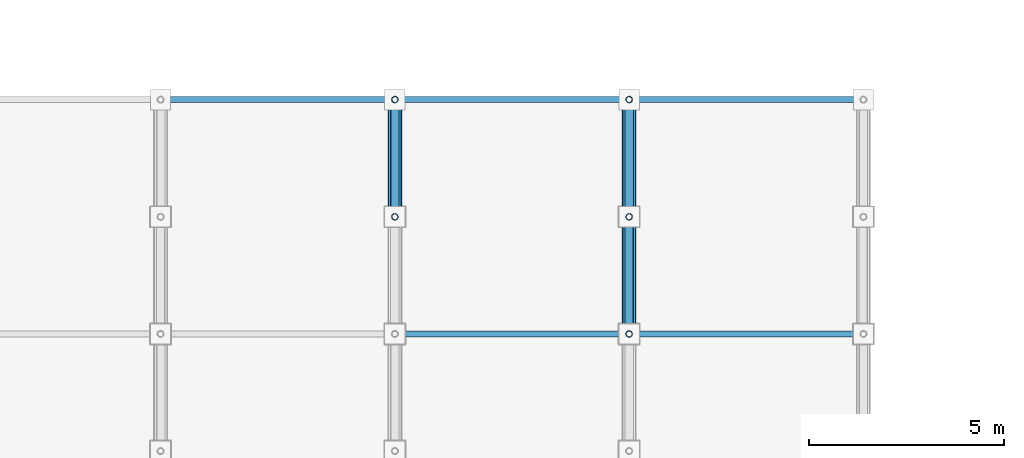
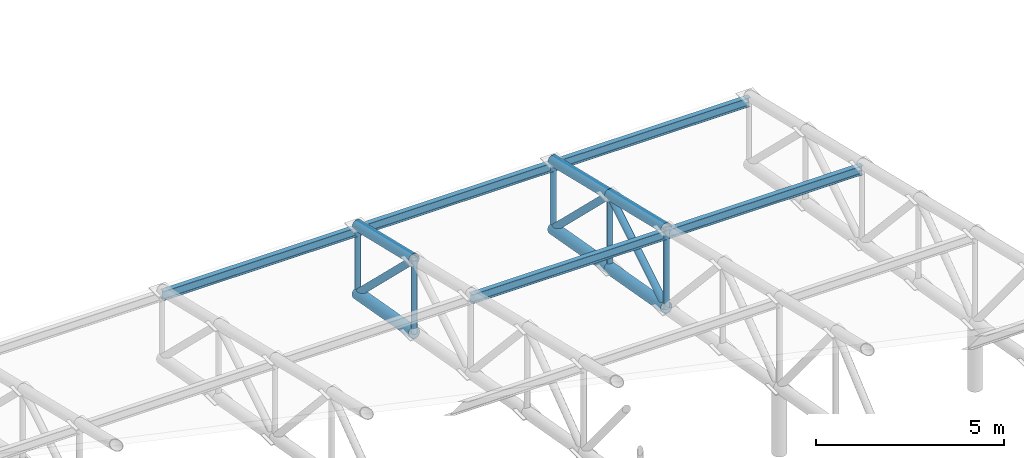
# One storey, part 30 of 123: 14 members, 5 beams.
"""IFC4 building model written with IfcOpenShell, lengths in metres."""

import ifcopenshell
import ifcopenshell.guid

model = None  # the IFC model being written
_history = None  # IfcOwnerHistory: only IFC2X3 demands one
_inside = {}  # id of a spatial element -> (the spatial element, [elements in it])
_under = {}  # id of a project, library or spatial element -> (it, [spatial elements below it])
_declared = {}  # id of a project -> (the project, [libraries it declares])
_typed = {}  # id of a type object -> (the type object, [elements of that type])
_made_of = {}  # id of a material, layer set ... -> (it, [elements and type objects made of it])


def new_model(schema):
    """Start an empty IFC model of exactly this schema.

    Asked for "IFC4X3", IfcOpenShell would pick the latest addendum, in which some entities
    have other attributes; the version numbers below select the first issue.
    IFC2X3 requires an IfcOwnerHistory on every rooted entity: one is made here for all.
    """
    global model, _history
    if schema == "IFC4X3":
        model = ifcopenshell.file(schema_version=(4, 3, 0, 0))
    else:
        model = ifcopenshell.file(schema=schema)
    _inside.clear()
    _under.clear()
    _declared.clear()
    _typed.clear()
    _made_of.clear()
    _history = None
    if model.schema == "IFC2X3":
        org = make("IfcOrganization", Name="unknown")
        user = make(
            "IfcPersonAndOrganization",
            ThePerson=make("IfcPerson", FamilyName="unknown"),
            TheOrganization=org,
        )
        app = make(
            "IfcApplication",
            ApplicationDeveloper=org,
            Version="unknown",
            ApplicationFullName="unknown",
            ApplicationIdentifier="unknown",
        )
        _history = make(
            "IfcOwnerHistory",
            OwningUser=user,
            OwningApplication=app,
            ChangeAction="ADDED",
            CreationDate=0,
        )
    return model


def make(cls, **values):
    """One entity of the class cls with the attributes given. An attribute that is None is left unset."""
    return model.create_entity(
        cls, **{name: value for name, value in values.items() if value is not None}
    )


def rooted(cls, **values):
    """An entity with a GlobalId (a new one), such as an element, a storey or a relation."""
    return make(cls, GlobalId=ifcopenshell.guid.new(), OwnerHistory=_history, **values)


def si_unit(unit_type, name, prefix=None):
    """IfcSIUnit, for example si_unit("LENGTHUNIT", "METRE", prefix="MILLI")."""
    return make("IfcSIUnit", UnitType=unit_type, Prefix=prefix, Name=name)


def assignment(units):
    """IfcUnitAssignment: the units of a project."""
    return None if units is None else make("IfcUnitAssignment", Units=units)


def point(xyz):
    """IfcCartesianPoint."""
    return None if xyz is None else make("IfcCartesianPoint", Coordinates=xyz)


def direction(xyz):
    """IfcDirection."""
    return None if xyz is None else make("IfcDirection", DirectionRatios=xyz)


def frame(location, z_axis=None, x_axis=None):
    """IfcAxis2Placement3D, a coordinate frame: its origin and axes. An axis left out is left unset."""
    return make(
        "IfcAxis2Placement3D",
        Location=point(location),
        Axis=direction(z_axis),
        RefDirection=direction(x_axis),
    )


def frame_2d(location, x_axis=None):
    """IfcAxis2Placement2D, a coordinate frame in the plane: its origin and x axis."""
    return make(
        "IfcAxis2Placement2D", Location=point(location), RefDirection=direction(x_axis)
    )


def origin():
    """The frame at (0, 0, 0) with its axes left unset."""
    return frame((0.0, 0.0, 0.0))


def origin_2d():
    """The frame at (0, 0) in the plane with its x axis left unset."""
    return frame_2d((0.0, 0.0))


def place(relative_to, where):
    """IfcLocalPlacement: puts the frame where relative to a parent placement (None: the world)."""
    return make(
        "IfcLocalPlacement", PlacementRelTo=relative_to, RelativePlacement=where
    )


def context(
    kind, dimensions, precision=None, world=None, true_north=None, identifier=None
):
    """IfcGeometricRepresentationContext, for example the 3D "Model" context."""
    return make(
        "IfcGeometricRepresentationContext",
        ContextIdentifier=identifier,
        ContextType=kind,
        CoordinateSpaceDimension=dimensions,
        Precision=precision,
        WorldCoordinateSystem=world,
        TrueNorth=true_north,
    )


def subcontext(parent, identifier, kind, view, scale=None):
    """IfcGeometricRepresentationSubContext, for example "Body" below "Model"."""
    return make(
        "IfcGeometricRepresentationSubContext",
        ContextIdentifier=identifier,
        ContextType=kind,
        ParentContext=parent,
        TargetScale=scale,
        TargetView=view,
    )


def project(units=None, contexts=None):
    """IfcProject with its units and contexts."""
    return rooted(
        "IfcProject",
        Name="project",
        RepresentationContexts=contexts,
        UnitsInContext=assignment(units),
    )


def spatial(cls, under=None, at=None, **own):
    """A site, building, storey or space (cls), placed at a placement, below another one or the project."""
    s = rooted(cls, ObjectPlacement=at, **own)
    if under is not None:
        _under.setdefault(under.id(), (under, []))[1].append(s)
    return s


def profile(cls, at=None, kind="AREA", **sizes):
    """A parametric profile (cls). Its sizes go by their IFC names, for example OverallWidth=200.0."""
    return make(cls, ProfileType=kind, Position=at, **sizes)


def hollow_circle(**sizes):
    """IfcCircleHollowProfileDef."""
    return profile("IfcCircleHollowProfileDef", **sizes)


def i_section(**sizes):
    """IfcIShapeProfileDef."""
    return profile("IfcIShapeProfileDef", **sizes)


def extrude(swept, where, along, depth):
    """IfcExtrudedAreaSolid: the profile swept, set in the frame where, extruded along a direction by depth."""
    return make(
        "IfcExtrudedAreaSolid",
        SweptArea=swept,
        Position=where,
        ExtrudedDirection=direction(along),
        Depth=depth,
    )


def shape(context_of_items, identifier, shape_type, items):
    """IfcShapeRepresentation: the items that make up one representation, for example the "Body"."""
    return make(
        "IfcShapeRepresentation",
        ContextOfItems=context_of_items,
        RepresentationIdentifier=identifier,
        RepresentationType=shape_type,
        Items=items,
    )


def material(Name=None, Category=None):
    """IfcMaterial."""
    return make("IfcMaterial", Name=Name, Category=Category)


def material_profile(
    of_material, cross_section, Name=None, Category=None, Priority=None
):
    """IfcMaterialProfile: a cross section and its material."""
    return make(
        "IfcMaterialProfile",
        Name=Name,
        Material=of_material,
        Profile=cross_section,
        Priority=Priority,
        Category=Category,
    )


def profile_set(profiles, Name=None, composite=None):
    """IfcMaterialProfileSet."""
    return make(
        "IfcMaterialProfileSet",
        Name=Name,
        MaterialProfiles=profiles,
        CompositeProfile=composite,
    )


def made_of(thing, what):
    """Note that an element or type object is made of a material, layer set ...; save() writes the relation."""
    if what is not None:
        _made_of.setdefault(what.id(), (what, []))[1].append(thing)
    return thing


def type_object(cls, material=None, **own):
    """A type object (cls), such as IfcWallType, which elements share."""
    return made_of(rooted(cls, **own), material)


def element(
    cls,
    number,
    at=None,
    inside=None,
    cuts=None,
    type_object=None,
    material=None,
    context=None,
    identifier="Body",
    shape_type=None,
    held_by="IfcProductDefinitionShape",
    body=None,
    shapes=None,
    **own,
):
    """One element of the class cls, such as IfcWall. Its Tag is "e" and its number.

    at: its placement. inside: the storey or other place that contains it. cuts: it is an
    opening in that element (IfcRelVoidsElement). A single representation is given by context,
    identifier, shape_type and body (its items); several are given by shapes. held_by: the class
    of the entity that holds the representations. save() writes the other relations.
    """
    e = rooted(cls, Tag="e%d" % number, ObjectPlacement=at, **own)
    if body is not None:
        shapes = [shape(context, identifier, shape_type, body)]
    if shapes is not None:
        e.Representation = make(held_by, Representations=shapes)
    if inside is not None:
        _inside.setdefault(inside.id(), (inside, []))[1].append(e)
    if cuts is not None:
        rooted(
            "IfcRelVoidsElement", RelatingBuildingElement=cuts, RelatedOpeningElement=e
        )
    if type_object is not None:
        _typed.setdefault(type_object.id(), (type_object, []))[1].append(e)
    return made_of(e, material)


def aggregate(whole, parts):
    """IfcRelAggregates: a whole, such as a stair, and the parts it consists of."""
    return rooted("IfcRelAggregates", RelatingObject=whole, RelatedObjects=parts)


def save(model, path):
    """Write the relations noted so far, then the file.

    IfcRelAggregates (storeys below a building ...), IfcRelContainedInSpatialStructure (elements
    in a storey), IfcRelDefinesByType, IfcRelAssociatesMaterial and IfcRelDeclares: one each for
    every whole, place, type object, material and project.
    """
    for whole, parts in _under.values():
        aggregate(whole, parts)
    for where, things in _inside.values():
        rooted(
            "IfcRelContainedInSpatialStructure",
            RelatedElements=things,
            RelatingStructure=where,
        )
    for kind, things in _typed.values():
        rooted("IfcRelDefinesByType", RelatedObjects=things, RelatingType=kind)
    for what, things in _made_of.values():
        rooted("IfcRelAssociatesMaterial", RelatedObjects=things, RelatingMaterial=what)
    for by, libraries in _declared.values():
        rooted("IfcRelDeclares", RelatingContext=by, RelatedDefinitions=libraries)
    model.write(path)


model = new_model("IFC4")

# Units and contexts
model_context = context("Model", 3, precision=1e-05, world=origin(), true_north=direction((0.0, 1.0)))
body_context = subcontext(model_context, "Body", "Model", "MODEL_VIEW")
ifc_project = project(units=[si_unit("LENGTHUNIT", "METRE"), si_unit("AREAUNIT", "SQUARE_METRE"), si_unit("VOLUMEUNIT", "CUBIC_METRE"), si_unit("PLANEANGLEUNIT", "RADIAN"), si_unit("MASSUNIT", "GRAM", prefix="KILO"), si_unit("THERMODYNAMICTEMPERATUREUNIT", "KELVIN"), si_unit("POWERUNIT", "WATT")], contexts=[model_context])

# Site, building, storey
site_placement = place(None, origin())
site = spatial("IfcSite", under=ifc_project, at=site_placement, CompositionType="ELEMENT")
building_placement = place(site_placement, origin())
building = spatial("IfcBuilding", under=site, at=building_placement, Name="Phaisarnlok Congress Hotel", CompositionType="ELEMENT")
storey_placement = place(building_placement, frame((0.0, 0.0, 15.0)))
storey = spatial("IfcBuildingStorey", under=building, at=storey_placement, Name="L03", CompositionType="ELEMENT", Elevation=15.0)

# Beams
ifc_material = material(Name="Steel S355", Category="steel")
ifc_material_profile_1 = material_profile(ifc_material, i_section(OverallWidth=0.14990234375, OverallDepth=0.300048828125, WebThickness=0.007080078125, FlangeThickness=0.0107421875, FilletRadius=0.014892578125, at=origin_2d()), Name="IPE 300")
ifc_profile_set_1 = profile_set([ifc_material_profile_1], Name="Steel S355")
beam_type = type_object("IfcBeamType", Name="JS-STL-IPE300", PredefinedType="JOIST", material=ifc_profile_set_1)
for number, where, z_axis, x_axis, name in (
    (1, (78.0, 54.0, 2.0380859375), (1.0, 0.0, 0.0), (0.0, 1.0, 0.0), "South wing roof purlin"),
    (2, (84.0, 54.0, 2.0380859375), (1.0, 0.0, 0.0), (0.0, 1.0, 0.0), "South wing roof purlin"),
    (3, (84.0, 48.0, 3.47021484375), (1.0, 0.0, 0.0), (0.0, 1.0, 0.0), "South wing roof purlin"),
    (4, (90.0, 54.0, 2.0380859375), (1.0, 0.0, 0.0), (0.0, 1.0, 0.0), "South wing roof purlin"),
    (5, (90.0, 48.0, 3.47021484375), (1.0, 0.0, 0.0), (0.0, 1.0, 0.0), "South wing roof purlin"),
):
    element("IfcBeam", number, at=place(storey_placement, frame(where, z_axis=z_axis, x_axis=x_axis)), inside=storey, type_object=beam_type, Name=name, PredefinedType="JOIST", context=body_context, shape_type="SweptSolid", body=[
        extrude(i_section(OverallWidth=0.14990234375, OverallDepth=0.300048828125, WebThickness=0.007080078125, FlangeThickness=0.0107421875, FilletRadius=0.014892578125, at=origin_2d()), origin(), (0.0, 0.0, 1.0), 6.0),
    ])

# Members
ifc_material_profile_2 = material_profile(ifc_material, hollow_circle(Radius=0.084228515625, WallThickness=0.010009765625, at=origin_2d()), Name="CHS 168.3x10")
ifc_profile_set_2 = profile_set([ifc_material_profile_2], Name="Steel S355")
member_type_1 = type_object("IfcMemberType", Name="MEM-BRC-CHS168", PredefinedType="BRACE", material=ifc_profile_set_2)
member_1_placement = place(storey_placement, frame((84.0, 54.0, 0.0), z_axis=(0.0, 0.0, 1.0), x_axis=(1.0, 0.0, 0.0)))
element("IfcMember", 6, at=member_1_placement, inside=storey, type_object=member_type_1, Name="South wing roof truss vertical web", PredefinedType="BRACE", context=body_context, shape_type="SweptSolid", body=[
    extrude(hollow_circle(Radius=0.084228515625, WallThickness=0.010009765625, at=origin_2d()), origin(), (0.0, 0.0, 1.0), 2.199951171875),
])
member_2_placement = place(storey_placement, frame((84.0, 51.0, 0.533447265625), z_axis=(0.0, 0.0, 1.0), x_axis=(1.0, 0.0, 0.0)))
element("IfcMember", 7, at=member_2_placement, inside=storey, type_object=member_type_1, Name="South wing roof truss vertical web", PredefinedType="BRACE", context=body_context, shape_type="SweptSolid", body=[
    extrude(hollow_circle(Radius=0.084228515625, WallThickness=0.010009765625, at=origin_2d()), origin(), (0.0, 0.0, 1.0), 2.382568359375),
])
member_3_placement = place(storey_placement, frame((90.0, 54.0, 0.0), z_axis=(0.0, 0.0, 1.0), x_axis=(1.0, 0.0, 0.0)))
element("IfcMember", 8, at=member_3_placement, inside=storey, type_object=member_type_1, Name="South wing roof truss vertical web", PredefinedType="BRACE", context=body_context, shape_type="SweptSolid", body=[
    extrude(hollow_circle(Radius=0.084228515625, WallThickness=0.010009765625, at=origin_2d()), origin(), (0.0, 0.0, 1.0), 2.199951171875),
])
member_4_placement = place(storey_placement, frame((90.0, 51.0, 0.533447265625), z_axis=(0.0, 0.0, 1.0), x_axis=(1.0, 0.0, 0.0)))
element("IfcMember", 9, at=member_4_placement, inside=storey, type_object=member_type_1, Name="South wing roof truss vertical web", PredefinedType="BRACE", context=body_context, shape_type="SweptSolid", body=[
    extrude(hollow_circle(Radius=0.084228515625, WallThickness=0.010009765625, at=origin_2d()), origin(), (0.0, 0.0, 1.0), 2.382568359375),
])
member_5_placement = place(storey_placement, frame((90.0, 48.0, 1.066650390625), z_axis=(0.0, 0.0, 1.0), x_axis=(1.0, 0.0, 0.0)))
element("IfcMember", 10, at=member_5_placement, inside=storey, type_object=member_type_1, Name="South wing roof truss vertical web", PredefinedType="BRACE", context=body_context, shape_type="SweptSolid", body=[
    extrude(hollow_circle(Radius=0.084228515625, WallThickness=0.010009765625, at=origin_2d()), origin(), (0.0, 0.0, 1.0), 2.5654296875),
])
ifc_material_profile_3 = material_profile(ifc_material, hollow_circle(Radius=0.109619140625, WallThickness=0.012451171875, at=origin_2d()), Name="CHS 219.1x12.5")
ifc_profile_set_3 = profile_set([ifc_material_profile_3], Name="Steel S355")
member_type_2 = type_object("IfcMemberType", Name="MEM-BRC-CHS219", PredefinedType="BRACE", material=ifc_profile_set_3)
for number, where, z_axis, x_axis, name in (
    (11, (84.0, 54.0, 0.0), (0.0, -0.717072690854, 0.696998390264), (1.0, 0.0, 0.0), "South wing roof truss diagonal brace"),
    (12, (90.0, 54.0, 0.0), (0.0, -0.717072690854, 0.696998390264), (1.0, 0.0, 0.0), "South wing roof truss diagonal brace"),
):
    element("IfcMember", number, at=place(storey_placement, frame(where, z_axis=z_axis, x_axis=x_axis)), inside=storey, type_object=member_type_2, Name=name, PredefinedType="BRACE", context=body_context, shape_type="SweptSolid", body=[
        extrude(hollow_circle(Radius=0.109619140625, WallThickness=0.012451171875, at=origin_2d()), origin(), (0.0, 0.0, 1.0), 4.18359375),
    ])
member_6_placement = place(storey_placement, frame((90.0, 48.0, 1.066650390625), z_axis=(0.0, 0.851251329707, 0.524758204959), x_axis=(-1.0, 0.0, 0.0)))
element("IfcMember", 13, at=member_6_placement, inside=storey, type_object=member_type_2, Name="South wing roof truss diagonal brace", PredefinedType="BRACE", context=body_context, shape_type="SweptSolid", body=[
    extrude(hollow_circle(Radius=0.109619140625, WallThickness=0.012451171875, at=origin_2d()), origin(), (0.0, 0.0, 1.0), 3.524169921875),
])
ifc_material_profile_4 = material_profile(ifc_material, hollow_circle(Radius=0.161865234375, WallThickness=0.01611328125, at=origin_2d()), Name="CHS 323.9x16")
ifc_profile_set_4 = profile_set([ifc_material_profile_4], Name="Steel S355")
member_type_3 = type_object("IfcMemberType", Name="MEM-CHD-CHS324", PredefinedType="CHORD", material=ifc_profile_set_4)
for number, where, z_axis, x_axis, name in (
    (14, (84.0, 54.0, 2.199951171875), (0.0, -0.972676115692, 0.232166263617), (1.0, 0.0, 0.0), "South wing roof truss top chord"),
    (15, (90.0, 54.0, 2.199951171875), (0.0, -0.972676115692, 0.232166263617), (1.0, 0.0, 0.0), "South wing roof truss top chord"),
    (16, (90.0, 51.0, 2.916015625), (0.0, -0.972676115692, 0.232166263617), (1.0, 0.0, 0.0), "South wing roof truss top chord"),
):
    element("IfcMember", number, at=place(storey_placement, frame(where, z_axis=z_axis, x_axis=x_axis)), inside=storey, type_object=member_type_3, Name=name, PredefinedType="CHORD", context=body_context, shape_type="SweptSolid", body=[
        extrude(hollow_circle(Radius=0.161865234375, WallThickness=0.01611328125, at=origin_2d()), origin(), (0.0, 0.0, 1.0), 3.084228515625),
    ])
ifc_material_profile_5 = material_profile(ifc_material, hollow_circle(Radius=0.177734375, WallThickness=0.02001953125, at=origin_2d()), Name="CHS 355.6x20")
ifc_profile_set_5 = profile_set([ifc_material_profile_5], Name="Steel S355")
member_type_4 = type_object("IfcMemberType", Name="MEM-CHD-CHS356", PredefinedType="CHORD", material=ifc_profile_set_5)
for number, where, z_axis, x_axis, name in (
    (17, (84.0, 54.0, 0.0), (0.0, -0.984556063496, 0.175069579976), (1.0, 0.0, 0.0), "South wing roof truss bottom chord"),
    (18, (90.0, 54.0, 0.0), (0.0, -0.984556063496, 0.175069579976), (1.0, 0.0, 0.0), "South wing roof truss bottom chord"),
    (19, (90.0, 51.0, 0.533447265625), (0.0, -0.984569871158, 0.174991910694), (1.0, 0.0, 0.0), "South wing roof truss bottom chord"),
):
    element("IfcMember", number, at=place(storey_placement, frame(where, z_axis=z_axis, x_axis=x_axis)), inside=storey, type_object=member_type_4, Name=name, PredefinedType="CHORD", context=body_context, shape_type="SweptSolid", body=[
        extrude(hollow_circle(Radius=0.177734375, WallThickness=0.02001953125, at=origin_2d()), origin(), (0.0, 0.0, 1.0), 3.047119140625),
    ])

save(model, "model.ifc")
